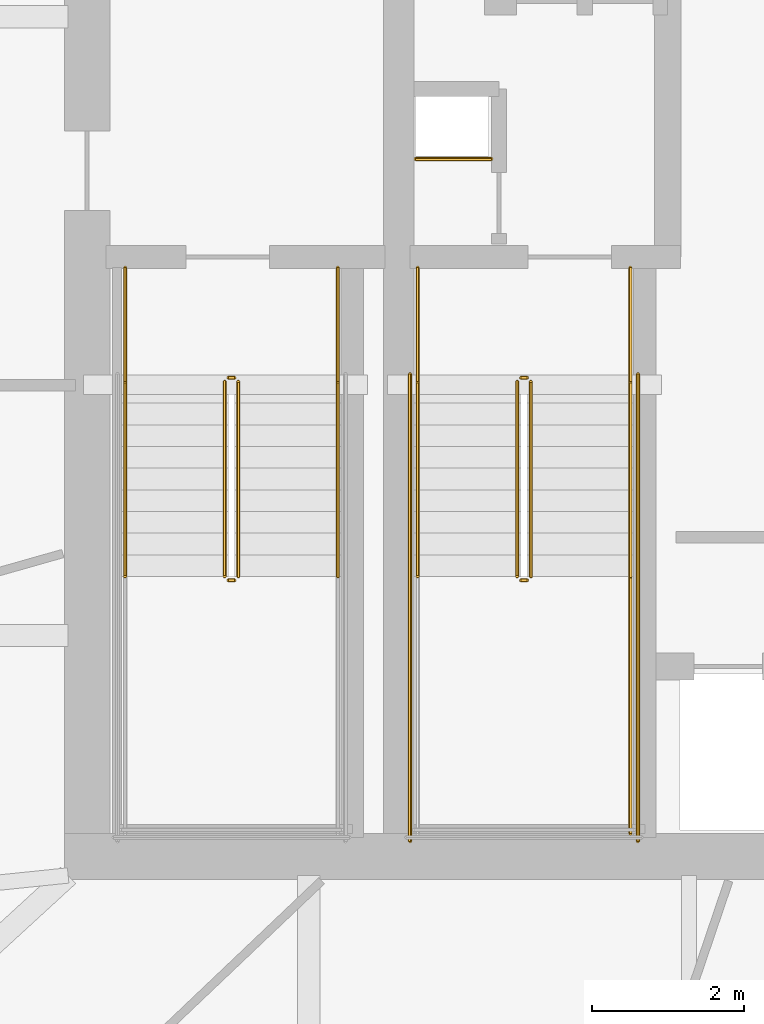
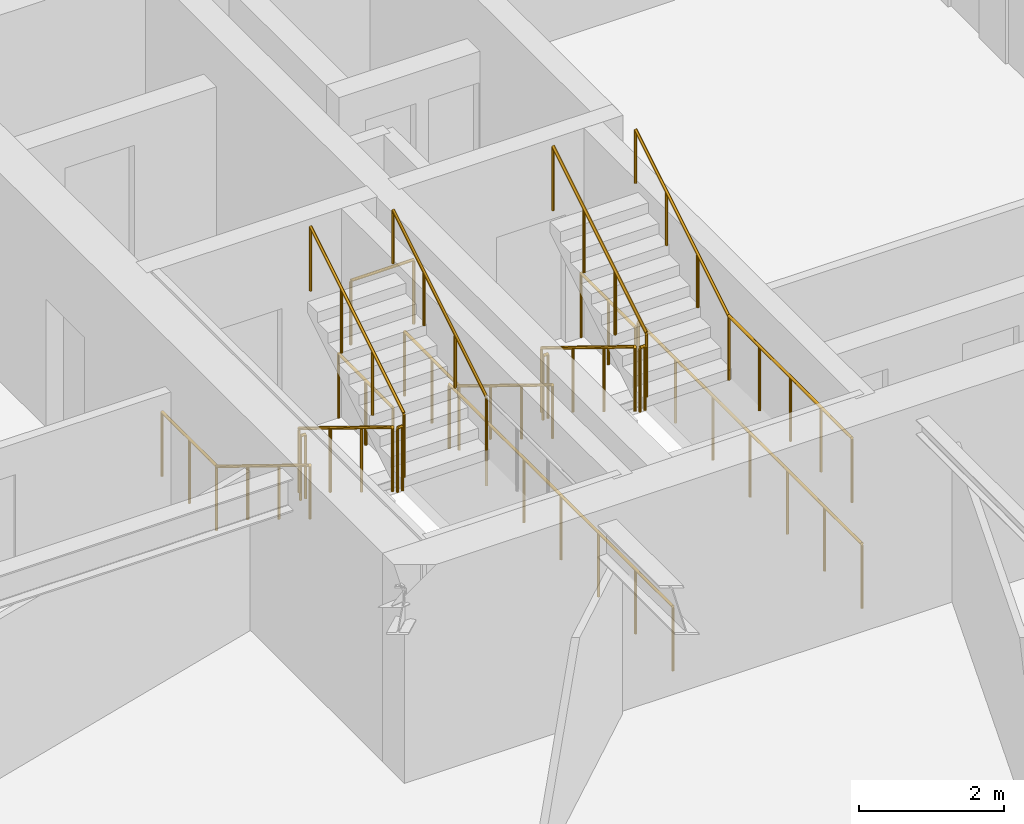
# One storey, part 20 of 22: 20 railings.
"""IFC4 building model written with IfcOpenShell, lengths in metres."""

from ifc_helpers import new_model, si_unit, direction, frame, origin, origin_2d, place, context, subcontext, project, spatial, circle, extrude, material, type_object, element, save


model = new_model("IFC4")

# Units and contexts
model_context = context("Model", 3, precision=1e-05, world=origin(), true_north=direction((0.0, 1.0)))
body_context = subcontext(model_context, "Body", "Model", "MODEL_VIEW")
ifc_project = project(units=[si_unit("LENGTHUNIT", "METRE"), si_unit("AREAUNIT", "SQUARE_METRE"), si_unit("VOLUMEUNIT", "CUBIC_METRE"), si_unit("PLANEANGLEUNIT", "RADIAN"), si_unit("MASSUNIT", "GRAM", prefix="KILO")], contexts=[model_context])

# Site, building, storey
site_placement = place(None, origin())
site = spatial("IfcSite", under=ifc_project, at=site_placement, CompositionType="ELEMENT")
building_placement = place(site_placement, origin())
building = spatial("IfcBuilding", under=site, at=building_placement, Name="Bramvorn Convention Spire", CompositionType="ELEMENT")
storey_placement = place(building_placement, frame((0.0, 0.0, 120.300048828125)))
storey = spatial("IfcBuildingStorey", under=building, at=storey_placement, Name="L29", CompositionType="ELEMENT", Elevation=120.300048828125)

# Railings
ifc_material_1 = material(Name="Painted Steel Balustrade & Guardrail", Category="steel")
railing_type_1 = type_object("IfcRailingType", Name="RL-STAIR-GUARD-1100", PredefinedType="GUARDRAIL", material=ifc_material_1)
railing_1_placement = place(storey_placement, frame((28.81005859375, 25.050048828125, 0.175048828125)))
element("IfcRailing", 1, at=railing_1_placement, inside=storey, type_object=railing_type_1, Name="L29 ST1 stair guard 1", PredefinedType="GUARDRAIL", context=body_context, shape_type="SweptSolid", body=[
    extrude(circle(Radius=0.02392578125, at=origin_2d()), frame((0.0, 0.0, 1.076171875), z_axis=(0.0, -0.852173129349, 0.523259933127), x_axis=(1.0, 0.0, 0.0)), (0.0, 0.0, 1.0), 3.009765625),
    extrude(circle(Radius=0.02099609375, at=origin_2d()), origin(), (0.0, 0.0, 1.0), 1.052001953125),
    extrude(circle(Radius=0.02099609375, at=origin_2d()), frame((0.0, -0.85498046875, 0.52490234375)), (0.0, 0.0, 1.0), 1.052001953125),
    extrude(circle(Radius=0.02099609375, at=origin_2d()), frame((0.0, -1.7099609375, 1.050048828125)), (0.0, 0.0, 1.0), 1.052001953125),
    extrude(circle(Radius=0.02099609375, at=origin_2d()), frame((0.0, -2.56494140625, 1.574951171875)), (0.0, 0.0, 1.0), 1.052001953125),
])
railing_2_placement = place(storey_placement, frame((28.860107421875, 22.43505859375, 1.75)))
element("IfcRailing", 2, at=railing_2_placement, inside=storey, type_object=railing_type_1, Name="L29 ST1 stair guard 2", PredefinedType="GUARDRAIL", context=body_context, shape_type="SweptSolid", body=[
    extrude(circle(Radius=0.02392578125, at=origin_2d()), frame((0.0, 0.0, 1.076171875), z_axis=(1.0, 0.0, 0.0), x_axis=(0.0, 1.0, 0.0)), (0.0, 0.0, 1.0), 0.079833984375),
    extrude(circle(Radius=0.02099609375, at=origin_2d()), origin(), (0.0, 0.0, 1.0), 1.052001953125),
    extrude(circle(Radius=0.02099609375, at=origin_2d()), frame((0.079833984375, 0.0, 0.0)), (0.0, 0.0, 1.0), 1.052001953125),
])
railing_3_placement = place(storey_placement, frame((28.989990234375, 22.485107421875, 1.925048828125)))
element("IfcRailing", 3, at=railing_3_placement, inside=storey, type_object=railing_type_1, Name="L29 ST1 stair guard 6", PredefinedType="GUARDRAIL", context=body_context, shape_type="SweptSolid", body=[
    extrude(circle(Radius=0.02392578125, at=origin_2d()), frame((0.0, 0.0, 1.076171875), z_axis=(0.0, 0.852173129349, 0.523259933127), x_axis=(-1.0, 0.0, 0.0)), (0.0, 0.0, 1.0), 3.009765625),
    extrude(circle(Radius=0.02099609375, at=origin_2d()), origin(), (0.0, 0.0, 1.0), 1.052001953125),
    extrude(circle(Radius=0.02099609375, at=origin_2d()), frame((0.0, 0.85498046875, 0.52490234375)), (0.0, 0.0, 1.0), 1.052001953125),
    extrude(circle(Radius=0.02099609375, at=origin_2d()), frame((0.0, 1.7099609375, 1.050048828125)), (0.0, 0.0, 1.0), 1.052001953125),
    extrude(circle(Radius=0.02099609375, at=origin_2d()), frame((0.0, 2.56494140625, 1.574951171875)), (0.0, 0.0, 1.0), 1.052001953125),
])
railing_4_placement = place(storey_placement, frame((28.860107421875, 25.10009765625, 0.0)))
element("IfcRailing", 4, at=railing_4_placement, inside=storey, type_object=railing_type_1, Name="L29 ST1 stair guard 7", PredefinedType="GUARDRAIL", context=body_context, shape_type="SweptSolid", body=[
    extrude(circle(Radius=0.02392578125, at=origin_2d()), frame((0.0, 0.0, 1.076171875), z_axis=(1.0, 0.0, 0.0), x_axis=(0.0, 1.0, 0.0)), (0.0, 0.0, 1.0), 0.079833984375),
    extrude(circle(Radius=0.02099609375, at=origin_2d()), origin(), (0.0, 0.0, 1.0), 1.052001953125),
    extrude(circle(Radius=0.02099609375, at=origin_2d()), frame((0.079833984375, 0.0, 0.0)), (0.0, 0.0, 1.0), 1.052001953125),
])
for number, where, name in (
    (5, (27.5, 26.550048828125, 0.0), "L29 ST1 stair guard 8"),
    (6, (30.300048828125, 26.550048828125, 0.0), "L29 ST1 stair guard 9"),
):
    element("IfcRailing", number, at=place(storey_placement, frame(where)), inside=storey, type_object=railing_type_1, Name=name, PredefinedType="GUARDRAIL", context=body_context, shape_type="SweptSolid", body=[
        extrude(circle(Radius=0.02392578125, at=origin_2d()), frame((0.0, 0.0, 1.076171875), z_axis=(0.0, -1.0, 0.0), x_axis=(1.0, 0.0, 0.0)), (0.0, 0.0, 1.0), 1.5),
        extrude(circle(Radius=0.02099609375, at=origin_2d()), origin(), (0.0, 0.0, 1.0), 1.052001953125),
        extrude(circle(Radius=0.02099609375, at=origin_2d()), frame((0.0, -0.75, 0.0)), (0.0, 0.0, 1.0), 1.052001953125),
        extrude(circle(Radius=0.02099609375, at=origin_2d()), frame((0.0, -1.5, 0.0)), (0.0, 0.0, 1.0), 1.052001953125),
    ])
railing_5_placement = place(storey_placement, frame((32.659912109375, 25.050048828125, 0.175048828125)))
element("IfcRailing", 7, at=railing_5_placement, inside=storey, type_object=railing_type_1, Name="L29 ST3 stair guard 1", PredefinedType="GUARDRAIL", context=body_context, shape_type="SweptSolid", body=[
    extrude(circle(Radius=0.02392578125, at=origin_2d()), frame((0.0, 0.0, 1.076171875), z_axis=(0.0, -0.852173129349, 0.523259933127), x_axis=(1.0, 0.0, 0.0)), (0.0, 0.0, 1.0), 3.009765625),
    extrude(circle(Radius=0.02099609375, at=origin_2d()), origin(), (0.0, 0.0, 1.0), 1.052001953125),
    extrude(circle(Radius=0.02099609375, at=origin_2d()), frame((0.0, -0.85498046875, 0.52490234375)), (0.0, 0.0, 1.0), 1.052001953125),
    extrude(circle(Radius=0.02099609375, at=origin_2d()), frame((0.0, -1.7099609375, 1.050048828125)), (0.0, 0.0, 1.0), 1.052001953125),
    extrude(circle(Radius=0.02099609375, at=origin_2d()), frame((0.0, -2.56494140625, 1.574951171875)), (0.0, 0.0, 1.0), 1.052001953125),
])
railing_6_placement = place(storey_placement, frame((32.7099609375, 22.43505859375, 1.75)))
element("IfcRailing", 8, at=railing_6_placement, inside=storey, type_object=railing_type_1, Name="L29 ST3 stair guard 2", PredefinedType="GUARDRAIL", context=body_context, shape_type="SweptSolid", body=[
    extrude(circle(Radius=0.02392578125, at=origin_2d()), frame((0.0, 0.0, 1.076171875), z_axis=(1.0, 0.0, 0.0), x_axis=(0.0, 1.0, 0.0)), (0.0, 0.0, 1.0), 0.080078125),
    extrude(circle(Radius=0.02099609375, at=origin_2d()), origin(), (0.0, 0.0, 1.0), 1.052001953125),
    extrude(circle(Radius=0.02099609375, at=origin_2d()), frame((0.080078125, 0.0, 0.0)), (0.0, 0.0, 1.0), 1.052001953125),
])
railing_7_placement = place(storey_placement, frame((34.14990234375, 22.485107421875, 1.75)))
element("IfcRailing", 9, at=railing_7_placement, inside=storey, type_object=railing_type_1, Name="L29 ST3 stair guard 4", PredefinedType="GUARDRAIL", context=body_context, shape_type="SweptSolid", body=[
    extrude(circle(Radius=0.02392578125, at=origin_2d()), frame((0.0, 0.0, 1.076171875), z_axis=(0.0, -1.0, 0.0), x_axis=(1.0, 0.0, 0.0)), (0.0, 0.0, 1.0), 3.385009765625),
    extrude(circle(Radius=0.02099609375, at=origin_2d()), origin(), (0.0, 0.0, 1.0), 1.052001953125),
    extrude(circle(Radius=0.02099609375, at=origin_2d()), frame((0.0, -0.84619140625, 0.0)), (0.0, 0.0, 1.0), 1.052001953125),
    extrude(circle(Radius=0.02099609375, at=origin_2d()), frame((0.0, -1.6923828125, 0.0)), (0.0, 0.0, 1.0), 1.052001953125),
    extrude(circle(Radius=0.02099609375, at=origin_2d()), frame((0.0, -2.538818359375, 0.0)), (0.0, 0.0, 1.0), 1.052001953125),
    extrude(circle(Radius=0.02099609375, at=origin_2d()), frame((0.0, -3.385009765625, 0.0)), (0.0, 0.0, 1.0), 1.052001953125),
])
railing_8_placement = place(storey_placement, frame((32.840087890625, 22.485107421875, 1.925048828125)))
element("IfcRailing", 10, at=railing_8_placement, inside=storey, type_object=railing_type_1, Name="L29 ST3 stair guard 6", PredefinedType="GUARDRAIL", context=body_context, shape_type="SweptSolid", body=[
    extrude(circle(Radius=0.02392578125, at=origin_2d()), frame((0.0, 0.0, 1.076171875), z_axis=(0.0, 0.852173129349, 0.523259933127), x_axis=(-1.0, 0.0, 0.0)), (0.0, 0.0, 1.0), 3.009765625),
    extrude(circle(Radius=0.02099609375, at=origin_2d()), origin(), (0.0, 0.0, 1.0), 1.052001953125),
    extrude(circle(Radius=0.02099609375, at=origin_2d()), frame((0.0, 0.85498046875, 0.52490234375)), (0.0, 0.0, 1.0), 1.052001953125),
    extrude(circle(Radius=0.02099609375, at=origin_2d()), frame((0.0, 1.7099609375, 1.050048828125)), (0.0, 0.0, 1.0), 1.052001953125),
    extrude(circle(Radius=0.02099609375, at=origin_2d()), frame((0.0, 2.56494140625, 1.574951171875)), (0.0, 0.0, 1.0), 1.052001953125),
])
railing_9_placement = place(storey_placement, frame((32.7099609375, 25.10009765625, 0.0)))
element("IfcRailing", 11, at=railing_9_placement, inside=storey, type_object=railing_type_1, Name="L29 ST3 stair guard 7", PredefinedType="GUARDRAIL", context=body_context, shape_type="SweptSolid", body=[
    extrude(circle(Radius=0.02392578125, at=origin_2d()), frame((0.0, 0.0, 1.076171875), z_axis=(1.0, 0.0, 0.0), x_axis=(0.0, 1.0, 0.0)), (0.0, 0.0, 1.0), 0.080078125),
    extrude(circle(Radius=0.02099609375, at=origin_2d()), origin(), (0.0, 0.0, 1.0), 1.052001953125),
    extrude(circle(Radius=0.02099609375, at=origin_2d()), frame((0.080078125, 0.0, 0.0)), (0.0, 0.0, 1.0), 1.052001953125),
])
for number, where, name in (
    (12, (31.35009765625, 26.550048828125, 0.0), "L29 ST3 stair guard 8"),
    (13, (34.14990234375, 26.550048828125, 0.0), "L29 ST3 stair guard 9"),
):
    element("IfcRailing", number, at=place(storey_placement, frame(where)), inside=storey, type_object=railing_type_1, Name=name, PredefinedType="GUARDRAIL", context=body_context, shape_type="SweptSolid", body=[
        extrude(circle(Radius=0.02392578125, at=origin_2d()), frame((0.0, 0.0, 1.076171875), z_axis=(0.0, -1.0, 0.0), x_axis=(1.0, 0.0, 0.0)), (0.0, 0.0, 1.0), 1.5),
        extrude(circle(Radius=0.02099609375, at=origin_2d()), origin(), (0.0, 0.0, 1.0), 1.052001953125),
        extrude(circle(Radius=0.02099609375, at=origin_2d()), frame((0.0, -0.75, 0.0)), (0.0, 0.0, 1.0), 1.052001953125),
        extrude(circle(Radius=0.02099609375, at=origin_2d()), frame((0.0, -1.5, 0.0)), (0.0, 0.0, 1.0), 1.052001953125),
    ])
for number, where, name in (
    (14, (31.25, 25.14990234375, 0.0), "L29 ST3 stair guard 10"),
    (15, (34.25, 25.14990234375, 0.0), "L29 ST3 stair guard 11"),
):
    element("IfcRailing", number, at=place(storey_placement, frame(where)), inside=storey, type_object=railing_type_1, Name=name, PredefinedType="GUARDRAIL", context=body_context, shape_type="SweptSolid", body=[
        extrude(circle(Radius=0.02392578125, at=origin_2d()), frame((0.0, 0.0, 1.076171875), z_axis=(0.0, -1.0, 0.0), x_axis=(1.0, 0.0, 0.0)), (0.0, 0.0, 1.0), 6.14990234375),
        extrude(circle(Radius=0.02099609375, at=origin_2d()), origin(), (0.0, 0.0, 1.0), 1.052001953125),
        extrude(circle(Radius=0.02099609375, at=origin_2d()), frame((0.0, -1.02490234375, 0.0)), (0.0, 0.0, 1.0), 1.052001953125),
        extrude(circle(Radius=0.02099609375, at=origin_2d()), frame((0.0, -2.050048828125, 0.0)), (0.0, 0.0, 1.0), 1.052001953125),
        extrude(circle(Radius=0.02099609375, at=origin_2d()), frame((0.0, -3.074951171875, 0.0)), (0.0, 0.0, 1.0), 1.052001953125),
        extrude(circle(Radius=0.02099609375, at=origin_2d()), frame((0.0, -4.099853515625, 0.0)), (0.0, 0.0, 1.0), 1.052001953125),
        extrude(circle(Radius=0.02099609375, at=origin_2d()), frame((0.0, -5.125, 0.0)), (0.0, 0.0, 1.0), 1.052001953125),
        extrude(circle(Radius=0.02099609375, at=origin_2d()), frame((0.0, -6.14990234375, 0.0)), (0.0, 0.0, 1.0), 1.052001953125),
    ])
railing_10_placement = place(storey_placement, frame((31.320068359375, 27.97998046875, 0.0)))
element("IfcRailing", 16, at=railing_10_placement, inside=storey, type_object=railing_type_1, Name="L29 Telecom riser shaft opening safety guardrail", PredefinedType="GUARDRAIL", context=body_context, shape_type="SweptSolid", body=[
    extrude(circle(Radius=0.02392578125, at=origin_2d()), frame((0.0, 0.0, 1.076171875), z_axis=(1.0, 0.0, 0.0), x_axis=(0.0, 1.0, 0.0)), (0.0, 0.0, 1.0), 1.0),
    extrude(circle(Radius=0.02099609375, at=origin_2d()), origin(), (0.0, 0.0, 1.0), 1.052001953125),
    extrude(circle(Radius=0.02099609375, at=origin_2d()), frame((1.0, 0.0, 0.0)), (0.0, 0.0, 1.0), 1.052001953125),
])
ifc_material_2 = material(Name="Brushed Bronze Tubular Handrail", Category="aluminium")
railing_type_2 = type_object("IfcRailingType", Name="RL-STAIR-HR-920", PredefinedType="HANDRAIL", material=ifc_material_2)
railing_11_placement = place(storey_placement, frame((27.5, 25.050048828125, 0.175048828125)))
element("IfcRailing", 17, at=railing_11_placement, inside=storey, type_object=railing_type_2, Name="L29 ST1 stair handrail 1", PredefinedType="HANDRAIL", context=body_context, shape_type="SweptSolid", body=[
    extrude(circle(Radius=0.02392578125, at=origin_2d()), frame((0.0, 0.0, 0.89599609375), z_axis=(0.0, -0.852173129349, 0.523259933127), x_axis=(1.0, 0.0, 0.0)), (0.0, 0.0, 1.0), 3.009765625),
    extrude(circle(Radius=0.02099609375, at=origin_2d()), origin(), (0.0, 0.0, 1.0), 0.871826171875),
    extrude(circle(Radius=0.02099609375, at=origin_2d()), frame((0.0, -0.85498046875, 0.52490234375)), (0.0, 0.0, 1.0), 0.871826171875),
    extrude(circle(Radius=0.02099609375, at=origin_2d()), frame((0.0, -1.7099609375, 1.050048828125)), (0.0, 0.0, 1.0), 0.871826171875),
    extrude(circle(Radius=0.02099609375, at=origin_2d()), frame((0.0, -2.56494140625, 1.574951171875)), (0.0, 0.0, 1.0), 0.871826171875),
])
railing_12_placement = place(storey_placement, frame((30.300048828125, 22.485107421875, 1.925048828125)))
element("IfcRailing", 18, at=railing_12_placement, inside=storey, type_object=railing_type_2, Name="L29 ST1 stair handrail 2", PredefinedType="HANDRAIL", context=body_context, shape_type="SweptSolid", body=[
    extrude(circle(Radius=0.02392578125, at=origin_2d()), frame((0.0, 0.0, 0.89599609375), z_axis=(0.0, 0.852173129349, 0.523259933127), x_axis=(-1.0, 0.0, 0.0)), (0.0, 0.0, 1.0), 3.009765625),
    extrude(circle(Radius=0.02099609375, at=origin_2d()), origin(), (0.0, 0.0, 1.0), 0.871826171875),
    extrude(circle(Radius=0.02099609375, at=origin_2d()), frame((0.0, 0.85498046875, 0.52490234375)), (0.0, 0.0, 1.0), 0.871826171875),
    extrude(circle(Radius=0.02099609375, at=origin_2d()), frame((0.0, 1.7099609375, 1.050048828125)), (0.0, 0.0, 1.0), 0.871826171875),
    extrude(circle(Radius=0.02099609375, at=origin_2d()), frame((0.0, 2.56494140625, 1.574951171875)), (0.0, 0.0, 1.0), 0.871826171875),
])
railing_13_placement = place(storey_placement, frame((31.35009765625, 25.050048828125, 0.175048828125)))
element("IfcRailing", 19, at=railing_13_placement, inside=storey, type_object=railing_type_2, Name="L29 ST3 stair handrail 1", PredefinedType="HANDRAIL", context=body_context, shape_type="SweptSolid", body=[
    extrude(circle(Radius=0.02392578125, at=origin_2d()), frame((0.0, 0.0, 0.89599609375), z_axis=(0.0, -0.852173129349, 0.523259933127), x_axis=(1.0, 0.0, 0.0)), (0.0, 0.0, 1.0), 3.009765625),
    extrude(circle(Radius=0.02099609375, at=origin_2d()), origin(), (0.0, 0.0, 1.0), 0.871826171875),
    extrude(circle(Radius=0.02099609375, at=origin_2d()), frame((0.0, -0.85498046875, 0.52490234375)), (0.0, 0.0, 1.0), 0.871826171875),
    extrude(circle(Radius=0.02099609375, at=origin_2d()), frame((0.0, -1.7099609375, 1.050048828125)), (0.0, 0.0, 1.0), 0.871826171875),
    extrude(circle(Radius=0.02099609375, at=origin_2d()), frame((0.0, -2.56494140625, 1.574951171875)), (0.0, 0.0, 1.0), 0.871826171875),
])
railing_14_placement = place(storey_placement, frame((34.14990234375, 22.485107421875, 1.925048828125)))
element("IfcRailing", 20, at=railing_14_placement, inside=storey, type_object=railing_type_2, Name="L29 ST3 stair handrail 2", PredefinedType="HANDRAIL", context=body_context, shape_type="SweptSolid", body=[
    extrude(circle(Radius=0.02392578125, at=origin_2d()), frame((0.0, 0.0, 0.89599609375), z_axis=(0.0, 0.852173129349, 0.523259933127), x_axis=(-1.0, 0.0, 0.0)), (0.0, 0.0, 1.0), 3.009765625),
    extrude(circle(Radius=0.02099609375, at=origin_2d()), origin(), (0.0, 0.0, 1.0), 0.871826171875),
    extrude(circle(Radius=0.02099609375, at=origin_2d()), frame((0.0, 0.85498046875, 0.52490234375)), (0.0, 0.0, 1.0), 0.871826171875),
    extrude(circle(Radius=0.02099609375, at=origin_2d()), frame((0.0, 1.7099609375, 1.050048828125)), (0.0, 0.0, 1.0), 0.871826171875),
    extrude(circle(Radius=0.02099609375, at=origin_2d()), frame((0.0, 2.56494140625, 1.574951171875)), (0.0, 0.0, 1.0), 0.871826171875),
])

save(model, "model.ifc")
